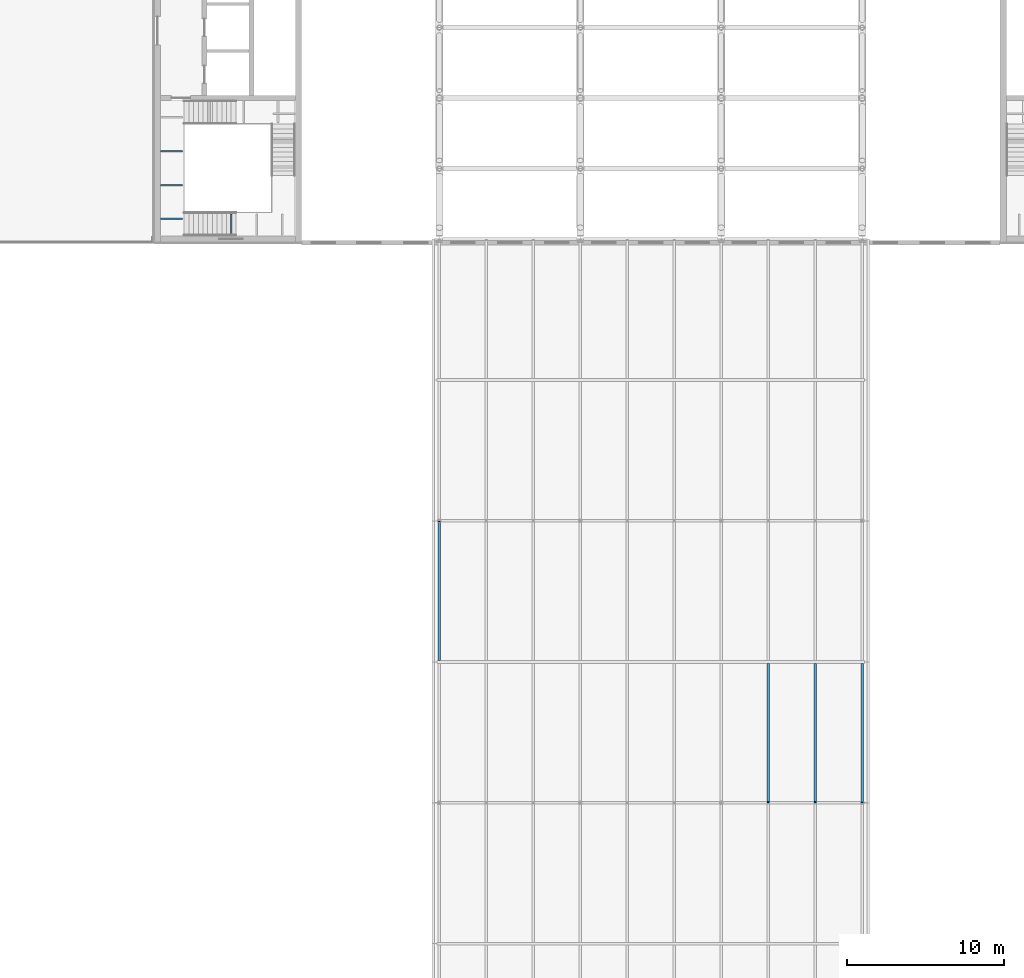
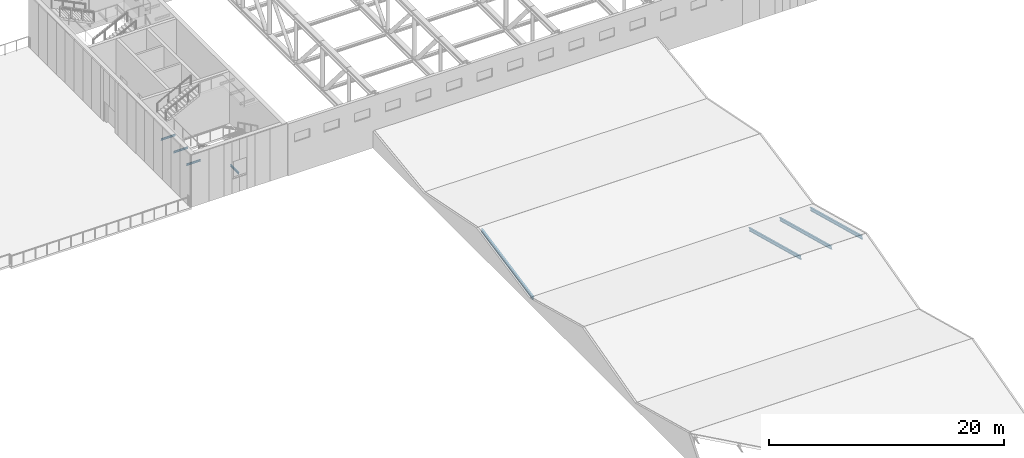
# One storey, part 13 of 29: 4 beams, 4 members.
"""IFC4 building model written with IfcOpenShell, lengths in metres."""

from ifc_helpers import new_model, si_unit, direction, frame, origin, origin_2d, place, context, subcontext, project, spatial, i_section, extrude, material, material_profile, profile_set, type_object, element, save


model = new_model("IFC4")

# Units and contexts
model_context = context("Model", 3, precision=1e-05, world=origin(), true_north=direction((0.0, 1.0)))
body_context = subcontext(model_context, "Body", "Model", "MODEL_VIEW")
ifc_project = project(units=[si_unit("LENGTHUNIT", "METRE"), si_unit("AREAUNIT", "SQUARE_METRE"), si_unit("VOLUMEUNIT", "CUBIC_METRE"), si_unit("PLANEANGLEUNIT", "RADIAN"), si_unit("MASSUNIT", "GRAM", prefix="KILO")], contexts=[model_context])

# Site, building, storey
site_placement = place(None, origin())
site = spatial("IfcSite", under=ifc_project, at=site_placement, CompositionType="ELEMENT")
building_placement = place(site_placement, origin())
building = spatial("IfcBuilding", under=site, at=building_placement, Name="Azimuth Sports and Learning Centre", CompositionType="ELEMENT")
storey_placement = place(building_placement, frame((0.0, 0.0, 27.0)))
storey = spatial("IfcBuildingStorey", under=building, at=storey_placement, Name="L05", CompositionType="ELEMENT", Elevation=27.0)

# Beams
ifc_material_1 = material(Name="Steel S355", Category="steel")
ifc_material_profile_1 = material_profile(ifc_material_1, i_section(OverallWidth=0.10009765625, OverallDepth=0.199951171875, WebThickness=0.005615234375, FlangeThickness=0.008544921875, FilletRadius=0.011962890625, at=origin_2d()), Name="IPE 200")
ifc_profile_set_1 = profile_set([ifc_material_profile_1], Name="Steel S355")
beam_type = type_object("IfcBeamType", Name="Beam IPE 200", PredefinedType="BEAM", material=ifc_profile_set_1)
for number, where, z_axis, x_axis, name in (
    (1, (58.723388671875, 90.199951171875, 1.5), (0.0, 1.0, 0.0), (-1.0, 0.0, 0.0), "Landing bracket W1 L05 49"),
    (2, (54.199951171875, 91.288818359375, 3.300048828125), (1.0, 0.0, 0.0), (0.0, 1.0, 0.0), "Landing bracket W1 L05 52"),
    (3, (54.199951171875, 93.4462890625, 3.300048828125), (1.0, 0.0, 0.0), (0.0, 1.0, 0.0), "Landing bracket W1 L05 53"),
    (4, (54.199951171875, 95.603759765625, 3.300048828125), (1.0, 0.0, 0.0), (0.0, 1.0, 0.0), "Landing bracket W1 L05 54"),
):
    element("IfcBeam", number, at=place(storey_placement, frame(where, z_axis=z_axis, x_axis=x_axis)), inside=storey, type_object=beam_type, Name=name, PredefinedType="BEAM", context=body_context, shape_type="SweptSolid", body=[
        extrude(i_section(OverallWidth=0.10009765625, OverallDepth=0.199951171875, WebThickness=0.005615234375, FlangeThickness=0.008544921875, FilletRadius=0.011962890625, at=origin_2d()), origin(), (0.0, 0.0, 1.0), 1.41015625),
    ])

# Members
ifc_material_2 = material(Name="Steel S355", Category="steel")
ifc_material_profile_2 = material_profile(ifc_material_2, i_section(OverallWidth=0.159912109375, OverallDepth=0.330078125, WebThickness=0.007568359375, FlangeThickness=0.011474609375, FilletRadius=0.01806640625, at=origin_2d()), Name="IPE 330")
ifc_profile_set_2 = profile_set([ifc_material_profile_2], Name="Steel S355")
member_type = type_object("IfcMemberType", Name="Rafter IPE 330", PredefinedType="RAFTER", material=ifc_profile_set_2)
for number, where, z_axis, x_axis, name in (
    (5, (93.0, 54.04248046875, 2.66259765625), (0.0, 0.966234051779, -0.257665979872), (-1.0, 0.0, 0.0), "Rafter FOLD07 68"),
    (6, (96.0, 54.04248046875, 2.66259765625), (0.0, 0.966234051779, -0.257665979872), (-1.0, 0.0, 0.0), "Rafter FOLD07 69"),
    (7, (99.0, 54.04248046875, 2.66259765625), (0.0, 0.966234051779, -0.257665979872), (-1.0, 0.0, 0.0), "Rafter FOLD07 70"),
):
    element("IfcMember", number, at=place(storey_placement, frame(where, z_axis=z_axis, x_axis=x_axis)), inside=storey, type_object=member_type, Name=name, PredefinedType="RAFTER", context=body_context, shape_type="SweptSolid", body=[
        extrude(i_section(OverallWidth=0.159912109375, OverallDepth=0.330078125, WebThickness=0.007568359375, FlangeThickness=0.011474609375, FilletRadius=0.01806640625, at=origin_2d()), origin(), (0.0, 0.0, 1.0), 9.128173828125),
    ])
member_placement = place(storey_placement, frame((72.0, 63.12744140625, 0.30419921875), z_axis=(0.0, 0.980581719653, 0.196110915255), x_axis=(-1.0, 0.0, 0.0)))
element("IfcMember", 8, at=member_placement, inside=storey, type_object=member_type, Name="Rafter FOLD08 71", PredefinedType="RAFTER", context=body_context, shape_type="SweptSolid", body=[
    extrude(i_section(OverallWidth=0.159912109375, OverallDepth=0.330078125, WebThickness=0.007568359375, FlangeThickness=0.011474609375, FilletRadius=0.01806640625, at=origin_2d()), origin(), (0.0, 0.0, 1.0), 8.994384765625),
])

save(model, "model.ifc")
